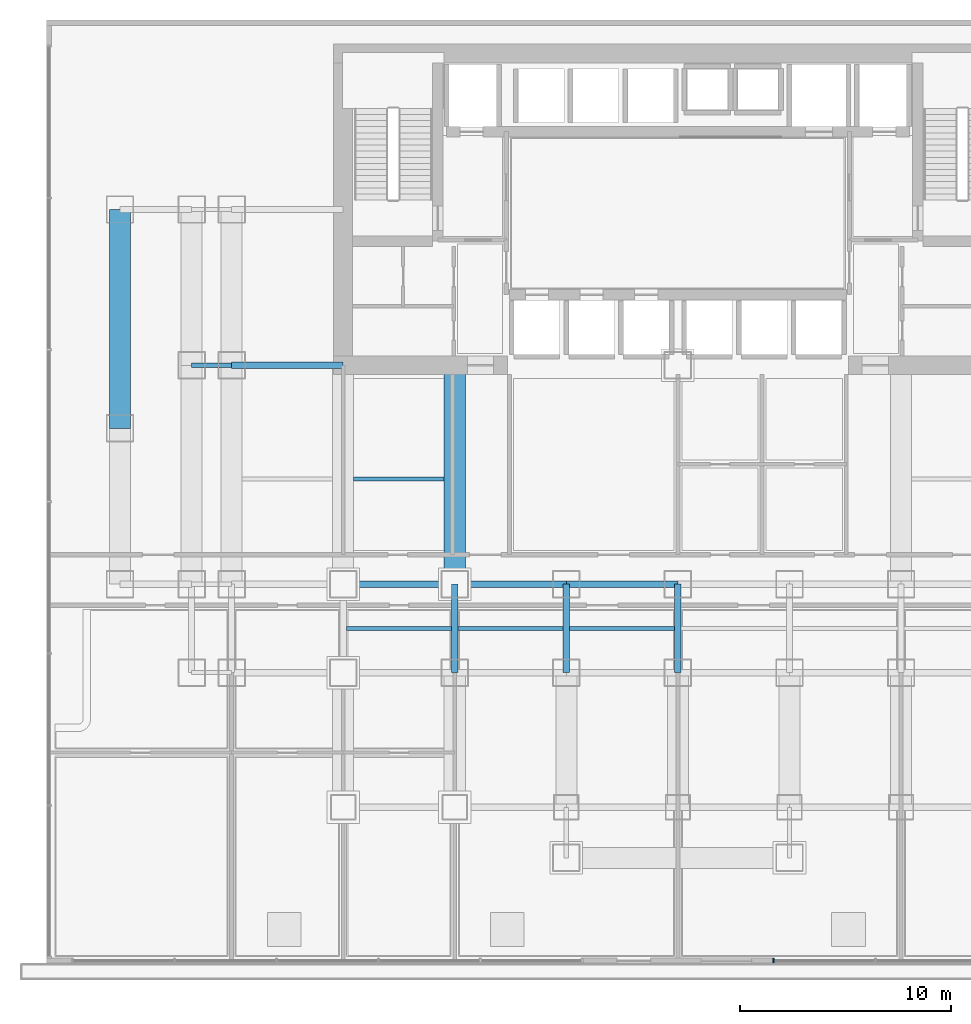
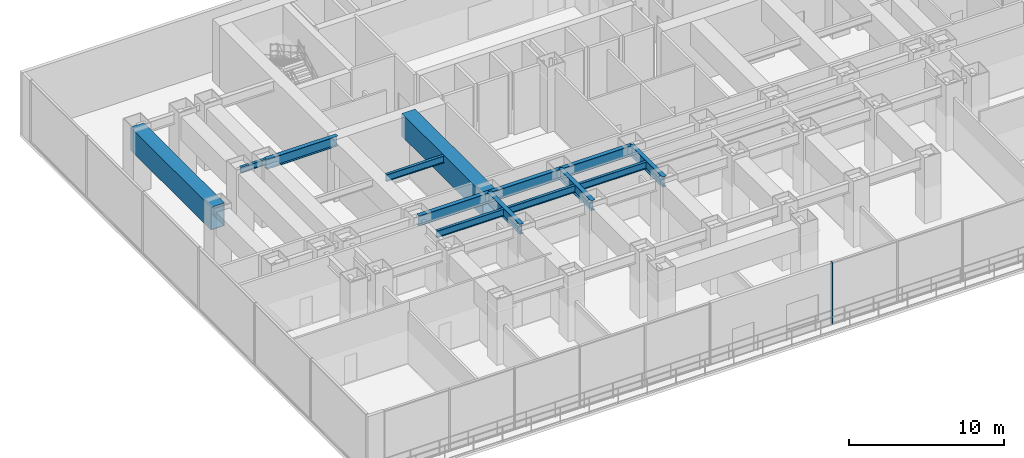
# One storey, part 3 of 12: 14 beams, 1 member, 1 element without a shape of its own.
"""IFC4 building model written with IfcOpenShell, lengths in metres."""

from ifc_helpers import new_model, si_unit, direction, frame, origin, origin_2d, place, context, subcontext, project, spatial, rectangle, hollow_rectangle, i_section, extrude, source, transform, mapped, material, layer, layer_set, material_profile, profile_set, type_object, element, aggregate, save


model = new_model("IFC4")

# Units and contexts
model_context = context("Model", 3, precision=1e-05, world=origin(), true_north=direction((0.0, 1.0)))
body_context = subcontext(model_context, "Body", "Model", "MODEL_VIEW")
ifc_project = project(units=[si_unit("LENGTHUNIT", "METRE"), si_unit("AREAUNIT", "SQUARE_METRE"), si_unit("VOLUMEUNIT", "CUBIC_METRE"), si_unit("PLANEANGLEUNIT", "RADIAN"), si_unit("MASSUNIT", "GRAM", prefix="KILO")], contexts=[model_context])

# Site, building, storey
site_placement = place(None, origin())
site = spatial("IfcSite", under=ifc_project, at=site_placement, CompositionType="ELEMENT")
building_placement = place(site_placement, origin())
building = spatial("IfcBuilding", under=site, at=building_placement, Name="Qianlan Lanfeng Residences", CompositionType="ELEMENT")
storey_placement = place(building_placement, frame((0.0, 0.0, 19.0)))
storey = spatial("IfcBuildingStorey", under=building, at=storey_placement, Name="L04", CompositionType="ELEMENT", Elevation=19.0)

# Beams
ifc_material_1 = material(Name="Steel SN490B", Category="steel")
ifc_material_profile_1 = material_profile(ifc_material_1, i_section(OverallWidth=0.300048828125, OverallDepth=0.800048828125, WebThickness=0.01611328125, FlangeThickness=0.028076171875, at=origin_2d()), Name="H 800x300x16x28")
ifc_profile_set_1 = profile_set([ifc_material_profile_1], Name="Steel SN490B")
beam_type_1 = type_object("IfcBeamType", Name="G-950", PredefinedType="BEAM", material=ifc_profile_set_1)
beam_1_placement = place(storey_placement, frame((10.60009765625, 14.800048828125, 4.4599609375), z_axis=(1.0, 0.0, 0.0), x_axis=(0.0, 1.0, 0.0)))
element("IfcBeam", 1, at=beam_1_placement, inside=storey, type_object=beam_type_1, Name="Structural beam G-950", PredefinedType="BEAM", context=body_context, shape_type="SweptSolid", body=[
    extrude(i_section(OverallWidth=0.300048828125, OverallDepth=0.800048828125, WebThickness=0.01611328125, FlangeThickness=0.028076171875, at=origin_2d()), origin(), (0.0, 0.0, 1.0), 5.2998046875),
])
for number, where, z_axis, x_axis, name in (
    (2, (15.89990234375, 14.800048828125, 4.4599609375), (1.0, 0.0, 0.0), (0.0, 1.0, 0.0), "Structural beam G-950"),
    (3, (21.199951171875, 14.800048828125, 4.4599609375), (1.0, 0.0, 0.0), (0.0, 1.0, 0.0), "Structural beam G-950"),
    (4, (5.300048828125, 25.199951171875, 4.4599609375), (1.0, 0.0, 0.0), (0.0, 1.0, 0.0), "Structural beam G-950"),
):
    element("IfcBeam", number, at=place(storey_placement, frame(where, z_axis=z_axis, x_axis=x_axis)), inside=storey, type_object=beam_type_1, Name=name, PredefinedType="BEAM", context=body_context, shape_type="SweptSolid", body=[
        extrude(i_section(OverallWidth=0.300048828125, OverallDepth=0.800048828125, WebThickness=0.01611328125, FlangeThickness=0.028076171875, at=origin_2d()), origin(), (0.0, 0.0, 1.0), 5.300048828125),
    ])
for number, where, z_axis, x_axis, name in (
    (5, (15.89990234375, 10.60009765625, 4.4599609375), (0.0, 1.0, 0.0), (-1.0, 0.0, 0.0), "Structural beam G-950"),
    (6, (21.199951171875, 10.60009765625, 4.4599609375), (0.0, 1.0, 0.0), (-1.0, 0.0, 0.0), "Structural beam G-950"),
    (7, (26.5, 10.60009765625, 4.4599609375), (0.0, 1.0, 0.0), (-1.0, 0.0, 0.0), "Structural beam G-950"),
):
    element("IfcBeam", number, at=place(storey_placement, frame(where, z_axis=z_axis, x_axis=x_axis)), inside=storey, type_object=beam_type_1, Name=name, PredefinedType="BEAM", context=body_context, shape_type="SweptSolid", body=[
        extrude(i_section(OverallWidth=0.300048828125, OverallDepth=0.800048828125, WebThickness=0.01611328125, FlangeThickness=0.028076171875, at=origin_2d()), origin(), (0.0, 0.0, 1.0), 4.199951171875),
    ])
ifc_material_profile_2 = material_profile(ifc_material_1, i_section(OverallWidth=0.199951171875, OverallDepth=0.449951171875, WebThickness=0.009033203125, FlangeThickness=0.013916015625, at=origin_2d()), Name="H 450x200x9x14")
ifc_profile_set_2 = profile_set([ifc_material_profile_2], Name="Steel SN490B")
beam_type_2 = type_object("IfcBeamType", Name="J-450", PredefinedType="JOIST", material=ifc_profile_set_2)
beam_2_placement = place(storey_placement, frame((3.39990234375, 25.199951171875, 4.635009765625), z_axis=(1.0, 0.0, 0.0), x_axis=(0.0, 1.0, 0.0)))
element("IfcBeam", 8, at=beam_2_placement, inside=storey, type_object=beam_type_2, Name="Structural beam J-450", PredefinedType="JOIST", context=body_context, shape_type="SweptSolid", body=[
    extrude(i_section(OverallWidth=0.199951171875, OverallDepth=0.449951171875, WebThickness=0.009033203125, FlangeThickness=0.013916015625, at=origin_2d()), origin(), (0.0, 0.0, 1.0), 1.900146484375),
])
ifc_material_profile_3 = material_profile(ifc_material_1, i_section(OverallWidth=0.199951171875, OverallDepth=0.550048828125, WebThickness=0.010986328125, FlangeThickness=0.01806640625, at=origin_2d()), Name="H 550x200x11x18")
ifc_profile_set_3 = profile_set([ifc_material_profile_3], Name="Steel SN490B")
beam_type_3 = type_object("IfcBeamType", Name="J-550", PredefinedType="JOIST", material=ifc_profile_set_3)
for number, where, z_axis, x_axis, name in (
    (9, (10.75, 12.699951171875, 4.5849609375), (1.0, 0.0, 0.0), (0.0, 1.0, 0.0), "Structural beam J-550"),
    (10, (16.050048828125, 12.699951171875, 4.5849609375), (1.0, 0.0, 0.0), (0.0, 1.0, 0.0), "Structural beam J-550"),
    (11, (21.35009765625, 12.699951171875, 4.5849609375), (1.0, 0.0, 0.0), (0.0, 1.0, 0.0), "Structural beam J-550"),
):
    element("IfcBeam", number, at=place(storey_placement, frame(where, z_axis=z_axis, x_axis=x_axis)), inside=storey, type_object=beam_type_3, Name=name, PredefinedType="JOIST", context=body_context, shape_type="SweptSolid", body=[
        extrude(i_section(OverallWidth=0.199951171875, OverallDepth=0.550048828125, WebThickness=0.010986328125, FlangeThickness=0.01806640625, at=origin_2d()), origin(), (0.0, 0.0, 1.0), 5.0),
    ])
beam_3_placement = place(storey_placement, frame((11.10009765625, 19.800048828125, 4.5849609375), z_axis=(1.0, 0.0, 0.0), x_axis=(0.0, 1.0, 0.0)))
element("IfcBeam", 12, at=beam_3_placement, inside=storey, type_object=beam_type_3, Name="Structural beam J-550", PredefinedType="JOIST", context=body_context, shape_type="SweptSolid", body=[
    extrude(i_section(OverallWidth=0.199951171875, OverallDepth=0.550048828125, WebThickness=0.010986328125, FlangeThickness=0.01806640625, at=origin_2d()), origin(), (0.0, 0.0, 1.0), 4.2998046875),
])
ifc_material_2 = material(Name="Steel SM570 (420 MPa)", Category="steel")
ifc_material_profile_4 = material_profile(ifc_material_2, hollow_rectangle(XDim=1.0, YDim=1.800048828125, WallThickness=0.0400390625, at=origin_2d()), Name="BOX 1800x1000x40")
ifc_profile_set_4 = profile_set([ifc_material_profile_4], Name="Steel SM570 (420 MPa)")
beam_type_4 = type_object("IfcBeamType", Name="TG-2000", PredefinedType="BEAM", material=ifc_profile_set_4)
beam_4_placement = place(storey_placement, frame((0.0, 22.199951171875, 3.9599609375), z_axis=(0.0, 1.0, 0.0), x_axis=(-1.0, 0.0, 0.0)))
element("IfcBeam", 13, at=beam_4_placement, inside=storey, type_object=beam_type_4, Name="Structural beam TG-2000", PredefinedType="BEAM", context=body_context, shape_type="SweptSolid", body=[
    extrude(hollow_rectangle(XDim=1.0, YDim=1.800048828125, WallThickness=0.0400390625, at=origin_2d()), origin(), (0.0, 0.0, 1.0), 10.400146484375),
])
beam_5_placement = place(storey_placement, frame((15.89990234375, 14.800048828125, 3.9599609375), z_axis=(0.0, 1.0, 0.0), x_axis=(-1.0, 0.0, 0.0)))
element("IfcBeam", 14, at=beam_5_placement, inside=storey, type_object=beam_type_4, Name="Structural beam TG-2000", PredefinedType="BEAM", context=body_context, shape_type="SweptSolid", body=[
    extrude(hollow_rectangle(XDim=1.0, YDim=1.800048828125, WallThickness=0.0400390625, at=origin_2d()), origin(), (0.0, 0.0, 1.0), 10.39990234375),
])

# Curtain wall, member
ifc_material_3 = material(Name="Anodised Bronze Aluminium 6063-T6", Category="aluminium")
ifc_layer = layer(ifc_material_3, 0.219970703125)
ifc_layer_set = layer_set([ifc_layer], Name="Anodised Bronze Aluminium 6063-T6")
curtain_wall_type = type_object("IfcCurtainWallType", Name="CW-01", PredefinedType="NOTDEFINED", material=ifc_layer_set)
curtain_wall_placement = place(storey_placement, origin())
curtain_wall = element("IfcCurtainWall", 15, at=curtain_wall_placement, inside=storey, type_object=curtain_wall_type, Name="L04 Unitised Curtain Wall CWR-L04-SE (CW-01)", PredefinedType="NOTDEFINED")
ifc_material_profile_5 = material_profile(ifc_material_3, rectangle(XDim=0.080078125, YDim=0.2099609375, at=origin_2d()), Name="ALU MULLION 80x210")
ifc_profile_set_5 = profile_set([ifc_material_profile_5], Name="Anodised Bronze Aluminium 6063-T6")
member_type = type_object("IfcMemberType", Name="CWM-220", PredefinedType="MULLION", material=ifc_profile_set_5)
shared_shape = source(origin(), body_context, "Body", "SweptSolid", [
    extrude(rectangle(XDim=0.080078125, YDim=0.2099609375, at=origin_2d()), origin(), (0.0, 0.0, 1.0), 4.860107421875),
])
member_placement = place(storey_placement, frame((31.0400390625, -3.080078125, 0.0), z_axis=(0.0, 0.0, 1.0), x_axis=(1.0, 0.0, 0.0)))
member = element("IfcMember", 16, at=member_placement, type_object=member_type, Name="CWR-L04-SE Mullion 1", PredefinedType="MULLION", context=body_context, shape_type="MappedRepresentation", body=[
    mapped(shared_shape, transform((0.0, 0.0, 0.0), scale=1.0)),
])
aggregate(curtain_wall, [member])

save(model, "model.ifc")
